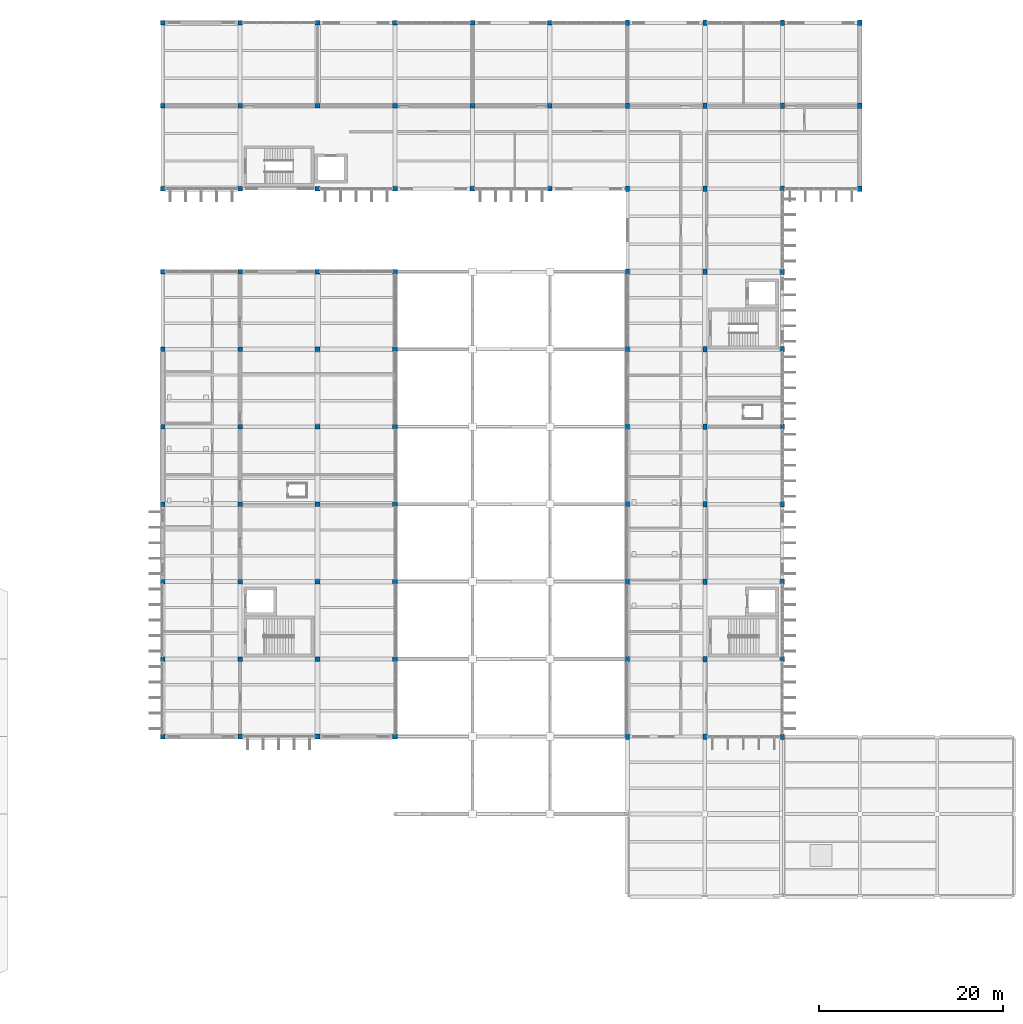
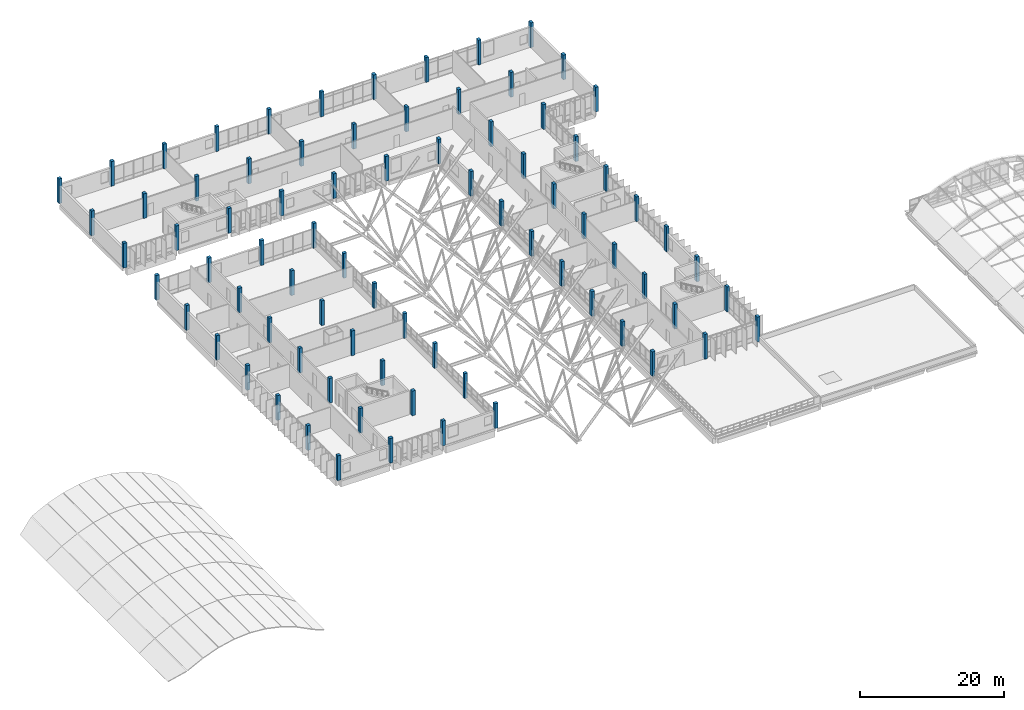
# One storey, part 1 of 107: 79 columns.
"""IFC4 building model written with IfcOpenShell, lengths in metres."""

import ifcopenshell
import ifcopenshell.guid

model = None  # the IFC model being written
_history = None  # IfcOwnerHistory: only IFC2X3 demands one
_inside = {}  # id of a spatial element -> (the spatial element, [elements in it])
_under = {}  # id of a project, library or spatial element -> (it, [spatial elements below it])
_declared = {}  # id of a project -> (the project, [libraries it declares])
_typed = {}  # id of a type object -> (the type object, [elements of that type])
_made_of = {}  # id of a material, layer set ... -> (it, [elements and type objects made of it])


def new_model(schema):
    """Start an empty IFC model of exactly this schema.

    Asked for "IFC4X3", IfcOpenShell would pick the latest addendum, in which some entities
    have other attributes; the version numbers below select the first issue.
    IFC2X3 requires an IfcOwnerHistory on every rooted entity: one is made here for all.
    """
    global model, _history
    if schema == "IFC4X3":
        model = ifcopenshell.file(schema_version=(4, 3, 0, 0))
    else:
        model = ifcopenshell.file(schema=schema)
    _inside.clear()
    _under.clear()
    _declared.clear()
    _typed.clear()
    _made_of.clear()
    _history = None
    if model.schema == "IFC2X3":
        org = make("IfcOrganization", Name="unknown")
        user = make(
            "IfcPersonAndOrganization",
            ThePerson=make("IfcPerson", FamilyName="unknown"),
            TheOrganization=org,
        )
        app = make(
            "IfcApplication",
            ApplicationDeveloper=org,
            Version="unknown",
            ApplicationFullName="unknown",
            ApplicationIdentifier="unknown",
        )
        _history = make(
            "IfcOwnerHistory",
            OwningUser=user,
            OwningApplication=app,
            ChangeAction="ADDED",
            CreationDate=0,
        )
    return model


def make(cls, **values):
    """One entity of the class cls with the attributes given. An attribute that is None is left unset."""
    return model.create_entity(
        cls, **{name: value for name, value in values.items() if value is not None}
    )


def rooted(cls, **values):
    """An entity with a GlobalId (a new one), such as an element, a storey or a relation."""
    return make(cls, GlobalId=ifcopenshell.guid.new(), OwnerHistory=_history, **values)


def si_unit(unit_type, name, prefix=None):
    """IfcSIUnit, for example si_unit("LENGTHUNIT", "METRE", prefix="MILLI")."""
    return make("IfcSIUnit", UnitType=unit_type, Prefix=prefix, Name=name)


def assignment(units):
    """IfcUnitAssignment: the units of a project."""
    return None if units is None else make("IfcUnitAssignment", Units=units)


def point(xyz):
    """IfcCartesianPoint."""
    return None if xyz is None else make("IfcCartesianPoint", Coordinates=xyz)


def direction(xyz):
    """IfcDirection."""
    return None if xyz is None else make("IfcDirection", DirectionRatios=xyz)


def frame(location, z_axis=None, x_axis=None):
    """IfcAxis2Placement3D, a coordinate frame: its origin and axes. An axis left out is left unset."""
    return make(
        "IfcAxis2Placement3D",
        Location=point(location),
        Axis=direction(z_axis),
        RefDirection=direction(x_axis),
    )


def frame_2d(location, x_axis=None):
    """IfcAxis2Placement2D, a coordinate frame in the plane: its origin and x axis."""
    return make(
        "IfcAxis2Placement2D", Location=point(location), RefDirection=direction(x_axis)
    )


def origin():
    """The frame at (0, 0, 0) with its axes left unset."""
    return frame((0.0, 0.0, 0.0))


def origin_2d():
    """The frame at (0, 0) in the plane with its x axis left unset."""
    return frame_2d((0.0, 0.0))


def place(relative_to, where):
    """IfcLocalPlacement: puts the frame where relative to a parent placement (None: the world)."""
    return make(
        "IfcLocalPlacement", PlacementRelTo=relative_to, RelativePlacement=where
    )


def context(
    kind, dimensions, precision=None, world=None, true_north=None, identifier=None
):
    """IfcGeometricRepresentationContext, for example the 3D "Model" context."""
    return make(
        "IfcGeometricRepresentationContext",
        ContextIdentifier=identifier,
        ContextType=kind,
        CoordinateSpaceDimension=dimensions,
        Precision=precision,
        WorldCoordinateSystem=world,
        TrueNorth=true_north,
    )


def subcontext(parent, identifier, kind, view, scale=None):
    """IfcGeometricRepresentationSubContext, for example "Body" below "Model"."""
    return make(
        "IfcGeometricRepresentationSubContext",
        ContextIdentifier=identifier,
        ContextType=kind,
        ParentContext=parent,
        TargetScale=scale,
        TargetView=view,
    )


def project(units=None, contexts=None):
    """IfcProject with its units and contexts."""
    return rooted(
        "IfcProject",
        Name="project",
        RepresentationContexts=contexts,
        UnitsInContext=assignment(units),
    )


def spatial(cls, under=None, at=None, **own):
    """A site, building, storey or space (cls), placed at a placement, below another one or the project."""
    s = rooted(cls, ObjectPlacement=at, **own)
    if under is not None:
        _under.setdefault(under.id(), (under, []))[1].append(s)
    return s


def profile(cls, at=None, kind="AREA", **sizes):
    """A parametric profile (cls). Its sizes go by their IFC names, for example OverallWidth=200.0."""
    return make(cls, ProfileType=kind, Position=at, **sizes)


def rectangle(**sizes):
    """IfcRectangleProfileDef."""
    return profile("IfcRectangleProfileDef", **sizes)


def extrude(swept, where, along, depth):
    """IfcExtrudedAreaSolid: the profile swept, set in the frame where, extruded along a direction by depth."""
    return make(
        "IfcExtrudedAreaSolid",
        SweptArea=swept,
        Position=where,
        ExtrudedDirection=direction(along),
        Depth=depth,
    )


def shape(context_of_items, identifier, shape_type, items):
    """IfcShapeRepresentation: the items that make up one representation, for example the "Body"."""
    return make(
        "IfcShapeRepresentation",
        ContextOfItems=context_of_items,
        RepresentationIdentifier=identifier,
        RepresentationType=shape_type,
        Items=items,
    )


def material(Name=None, Category=None):
    """IfcMaterial."""
    return make("IfcMaterial", Name=Name, Category=Category)


def material_profile(
    of_material, cross_section, Name=None, Category=None, Priority=None
):
    """IfcMaterialProfile: a cross section and its material."""
    return make(
        "IfcMaterialProfile",
        Name=Name,
        Material=of_material,
        Profile=cross_section,
        Priority=Priority,
        Category=Category,
    )


def profile_set(profiles, Name=None, composite=None):
    """IfcMaterialProfileSet."""
    return make(
        "IfcMaterialProfileSet",
        Name=Name,
        MaterialProfiles=profiles,
        CompositeProfile=composite,
    )


def made_of(thing, what):
    """Note that an element or type object is made of a material, layer set ...; save() writes the relation."""
    if what is not None:
        _made_of.setdefault(what.id(), (what, []))[1].append(thing)
    return thing


def type_object(cls, material=None, **own):
    """A type object (cls), such as IfcWallType, which elements share."""
    return made_of(rooted(cls, **own), material)


def element(
    cls,
    number,
    at=None,
    inside=None,
    cuts=None,
    type_object=None,
    material=None,
    context=None,
    identifier="Body",
    shape_type=None,
    held_by="IfcProductDefinitionShape",
    body=None,
    shapes=None,
    **own,
):
    """One element of the class cls, such as IfcWall. Its Tag is "e" and its number.

    at: its placement. inside: the storey or other place that contains it. cuts: it is an
    opening in that element (IfcRelVoidsElement). A single representation is given by context,
    identifier, shape_type and body (its items); several are given by shapes. held_by: the class
    of the entity that holds the representations. save() writes the other relations.
    """
    e = rooted(cls, Tag="e%d" % number, ObjectPlacement=at, **own)
    if body is not None:
        shapes = [shape(context, identifier, shape_type, body)]
    if shapes is not None:
        e.Representation = make(held_by, Representations=shapes)
    if inside is not None:
        _inside.setdefault(inside.id(), (inside, []))[1].append(e)
    if cuts is not None:
        rooted(
            "IfcRelVoidsElement", RelatingBuildingElement=cuts, RelatedOpeningElement=e
        )
    if type_object is not None:
        _typed.setdefault(type_object.id(), (type_object, []))[1].append(e)
    return made_of(e, material)


def aggregate(whole, parts):
    """IfcRelAggregates: a whole, such as a stair, and the parts it consists of."""
    return rooted("IfcRelAggregates", RelatingObject=whole, RelatedObjects=parts)


def save(model, path):
    """Write the relations noted so far, then the file.

    IfcRelAggregates (storeys below a building ...), IfcRelContainedInSpatialStructure (elements
    in a storey), IfcRelDefinesByType, IfcRelAssociatesMaterial and IfcRelDeclares: one each for
    every whole, place, type object, material and project.
    """
    for whole, parts in _under.values():
        aggregate(whole, parts)
    for where, things in _inside.values():
        rooted(
            "IfcRelContainedInSpatialStructure",
            RelatedElements=things,
            RelatingStructure=where,
        )
    for kind, things in _typed.values():
        rooted("IfcRelDefinesByType", RelatedObjects=things, RelatingType=kind)
    for what, things in _made_of.values():
        rooted("IfcRelAssociatesMaterial", RelatedObjects=things, RelatingMaterial=what)
    for by, libraries in _declared.values():
        rooted("IfcRelDeclares", RelatingContext=by, RelatedDefinitions=libraries)
    model.write(path)


model = new_model("IFC4")

# Units and contexts
model_context = context("Model", 3, precision=1e-05, world=origin(), true_north=direction((0.0, 1.0)))
body_context = subcontext(model_context, "Body", "Model", "MODEL_VIEW")
ifc_project = project(units=[si_unit("LENGTHUNIT", "METRE"), si_unit("AREAUNIT", "SQUARE_METRE"), si_unit("VOLUMEUNIT", "CUBIC_METRE"), si_unit("PLANEANGLEUNIT", "RADIAN"), si_unit("MASSUNIT", "GRAM", prefix="KILO")], contexts=[model_context])

# Site, building, storey
site_placement = place(None, origin())
site = spatial("IfcSite", under=ifc_project, at=site_placement, CompositionType="ELEMENT")
building_placement = place(site_placement, origin())
building = spatial("IfcBuilding", under=site, at=building_placement, Name="Vireocrest Preparatory School", CompositionType="ELEMENT")
storey_placement = place(building_placement, frame((0.0, 0.0, 13.199951171875)))
storey = spatial("IfcBuildingStorey", under=building, at=storey_placement, Name="L03", CompositionType="ELEMENT", Elevation=13.199951171875)

# Columns
ifc_material = material(Name="Concrete 45 MPa", Category="concrete")
ifc_material_profile_1 = material_profile(ifc_material, rectangle(XDim=0.5, YDim=0.5, at=origin_2d()), Name="RC 500x500")
ifc_profile_set_1 = profile_set([ifc_material_profile_1], Name="Concrete 45 MPa")
column_type_1 = type_object("IfcColumnType", Name="RC Column 500x500", PredefinedType="COLUMN", material=ifc_profile_set_1)
for number, where, z_axis, x_axis, name in (
    (1, (42.0, 35.39990234375, 0.0), (0.0, 0.0, 1.0), (1.0, 0.0, 0.0), "Column C03 L03 6/E"),
    (2, (42.0, 43.800048828125, 0.0), (0.0, 0.0, 1.0), (1.0, 0.0, 0.0), "Column C03 L03 6/F"),
    (3, (42.0, 52.199951171875, 0.0), (0.0, 0.0, 1.0), (1.0, 0.0, 0.0), "Column C03 L03 6/G"),
    (4, (42.0, 60.60009765625, 0.0), (0.0, 0.0, 1.0), (1.0, 0.0, 0.0), "Column C03 L03 6/H"),
    (5, (42.0, 69.0, 0.0), (0.0, 0.0, 1.0), (1.0, 0.0, 0.0), "Column C03 L03 6/J"),
    (6, (42.0, 77.39990234375, 0.0), (0.0, 0.0, 1.0), (1.0, 0.0, 0.0), "Column C03 L03 6/K"),
    (7, (42.0, 85.800048828125, 0.0), (0.0, 0.0, 1.0), (1.0, 0.0, 0.0), "Column C03 L03 6/L"),
    (8, (42.0, 94.800048828125, 0.0), (0.0, 0.0, 1.0), (1.0, 0.0, 0.0), "Column C03 L03 6/M"),
    (9, (42.0, 103.800048828125, 0.0), (0.0, 0.0, 1.0), (1.0, 0.0, 0.0), "Column C03 L03 6/N"),
    (10, (42.0, 112.800048828125, 0.0), (0.0, 0.0, 1.0), (1.0, 0.0, 0.0), "Column C03 L03 6/P"),
    (11, (50.39990234375, 35.39990234375, 0.0), (0.0, 0.0, 1.0), (1.0, 0.0, 0.0), "Column C03 L03 7/E"),
    (12, (50.39990234375, 43.800048828125, 0.0), (0.0, 0.0, 1.0), (1.0, 0.0, 0.0), "Column C03 L03 7/F"),
    (13, (50.39990234375, 52.199951171875, 0.0), (0.0, 0.0, 1.0), (1.0, 0.0, 0.0), "Column C03 L03 7/G"),
    (14, (50.39990234375, 60.60009765625, 0.0), (0.0, 0.0, 1.0), (1.0, 0.0, 0.0), "Column C03 L03 7/H"),
    (15, (50.39990234375, 69.0, 0.0), (0.0, 0.0, 1.0), (1.0, 0.0, 0.0), "Column C03 L03 7/J"),
    (16, (50.39990234375, 77.39990234375, 0.0), (0.0, 0.0, 1.0), (1.0, 0.0, 0.0), "Column C03 L03 7/K"),
    (17, (50.39990234375, 85.800048828125, 0.0), (0.0, 0.0, 1.0), (1.0, 0.0, 0.0), "Column C03 L03 7/L"),
    (18, (50.39990234375, 94.800048828125, 0.0), (0.0, 0.0, 1.0), (1.0, 0.0, 0.0), "Column C03 L03 7/M"),
    (19, (50.39990234375, 103.800048828125, 0.0), (0.0, 0.0, 1.0), (1.0, 0.0, 0.0), "Column C03 L03 7/N"),
    (20, (50.39990234375, 112.800048828125, 0.0), (0.0, 0.0, 1.0), (1.0, 0.0, 0.0), "Column C03 L03 7/P"),
    (21, (58.800048828125, 35.39990234375, 0.0), (0.0, 0.0, 1.0), (1.0, 0.0, 0.0), "Column C03 L03 8/E"),
    (22, (58.800048828125, 43.800048828125, 0.0), (0.0, 0.0, 1.0), (1.0, 0.0, 0.0), "Column C03 L03 8/F"),
    (23, (58.800048828125, 52.199951171875, 0.0), (0.0, 0.0, 1.0), (1.0, 0.0, 0.0), "Column C03 L03 8/G"),
    (24, (58.800048828125, 60.60009765625, 0.0), (0.0, 0.0, 1.0), (1.0, 0.0, 0.0), "Column C03 L03 8/H"),
    (25, (58.800048828125, 69.0, 0.0), (0.0, 0.0, 1.0), (1.0, 0.0, 0.0), "Column C03 L03 8/J"),
    (26, (58.800048828125, 77.39990234375, 0.0), (0.0, 0.0, 1.0), (1.0, 0.0, 0.0), "Column C03 L03 8/K"),
    (27, (58.800048828125, 85.800048828125, 0.0), (0.0, 0.0, 1.0), (1.0, 0.0, 0.0), "Column C03 L03 8/L"),
    (28, (58.800048828125, 94.800048828125, 0.0), (0.0, 0.0, 1.0), (1.0, 0.0, 0.0), "Column C03 L03 8/M"),
    (29, (58.800048828125, 103.800048828125, 0.0), (0.0, 0.0, 1.0), (1.0, 0.0, 0.0), "Column C03 L03 8/N"),
    (30, (58.800048828125, 112.800048828125, 0.0), (0.0, 0.0, 1.0), (1.0, 0.0, 0.0), "Column C03 L03 8/P"),
    (31, (67.199951171875, 35.39990234375, 0.0), (0.0, 0.0, 1.0), (1.0, 0.0, 0.0), "Column C03 L03 9/E"),
    (32, (67.199951171875, 43.800048828125, 0.0), (0.0, 0.0, 1.0), (1.0, 0.0, 0.0), "Column C03 L03 9/F"),
    (33, (67.199951171875, 52.199951171875, 0.0), (0.0, 0.0, 1.0), (1.0, 0.0, 0.0), "Column C03 L03 9/G"),
    (34, (67.199951171875, 60.60009765625, 0.0), (0.0, 0.0, 1.0), (1.0, 0.0, 0.0), "Column C03 L03 9/H"),
    (35, (67.199951171875, 69.0, 0.0), (0.0, 0.0, 1.0), (1.0, 0.0, 0.0), "Column C03 L03 9/J"),
    (36, (67.199951171875, 77.39990234375, 0.0), (0.0, 0.0, 1.0), (1.0, 0.0, 0.0), "Column C03 L03 9/K"),
    (37, (67.199951171875, 85.800048828125, 0.0), (0.0, 0.0, 1.0), (1.0, 0.0, 0.0), "Column C03 L03 9/L"),
    (38, (67.199951171875, 94.800048828125, 0.0), (0.0, 0.0, 1.0), (1.0, 0.0, 0.0), "Column C03 L03 9/M"),
    (39, (67.199951171875, 103.800048828125, 0.0), (0.0, 0.0, 1.0), (1.0, 0.0, 0.0), "Column C03 L03 9/N"),
    (40, (67.199951171875, 112.800048828125, 0.0), (0.0, 0.0, 1.0), (1.0, 0.0, 0.0), "Column C03 L03 9/P"),
    (41, (75.60009765625, 94.800048828125, 0.0), (0.0, 0.0, 1.0), (1.0, 0.0, 0.0), "Column C03 L03 10/M"),
    (42, (75.60009765625, 103.800048828125, 0.0), (0.0, 0.0, 1.0), (1.0, 0.0, 0.0), "Column C03 L03 10/N"),
    (43, (75.60009765625, 112.800048828125, 0.0), (0.0, 0.0, 1.0), (1.0, 0.0, 0.0), "Column C03 L03 10/P"),
    (44, (84.0, 94.800048828125, 0.0), (0.0, 0.0, 1.0), (1.0, 0.0, 0.0), "Column C03 L03 11/M"),
    (45, (84.0, 103.800048828125, 0.0), (0.0, 0.0, 1.0), (1.0, 0.0, 0.0), "Column C03 L03 11/N"),
    (46, (84.0, 112.800048828125, 0.0), (0.0, 0.0, 1.0), (1.0, 0.0, 0.0), "Column C03 L03 11/P"),
):
    element("IfcColumn", number, at=place(storey_placement, frame(where, z_axis=z_axis, x_axis=x_axis)), inside=storey, type_object=column_type_1, Name=name, PredefinedType="COLUMN", context=body_context, shape_type="SweptSolid", body=[
        extrude(rectangle(XDim=0.5, YDim=0.5, at=origin_2d()), origin(), (0.0, 0.0, 1.0), 4.199951171875),
    ])
ifc_material_profile_2 = material_profile(ifc_material, rectangle(XDim=0.449951171875, YDim=0.60009765625, at=origin_2d()), Name="RC 450x600")
ifc_profile_set_2 = profile_set([ifc_material_profile_2], Name="Concrete 45 MPa")
column_type_2 = type_object("IfcColumnType", Name="RC Hall Column 450x600", PredefinedType="COLUMN", material=ifc_profile_set_2)
for number, where, z_axis, x_axis, name in (
    (47, (92.39990234375, 35.39990234375, 0.0), (0.0, 0.0, 1.0), (1.0, 0.0, 0.0), "Column C10 L03 12/E"),
    (48, (92.39990234375, 43.800048828125, 0.0), (0.0, 0.0, 1.0), (1.0, 0.0, 0.0), "Column C10 L03 12/F"),
    (49, (92.39990234375, 52.199951171875, 0.0), (0.0, 0.0, 1.0), (1.0, 0.0, 0.0), "Column C10 L03 12/G"),
    (50, (92.39990234375, 60.60009765625, 0.0), (0.0, 0.0, 1.0), (1.0, 0.0, 0.0), "Column C10 L03 12/H"),
    (51, (92.39990234375, 69.0, 0.0), (0.0, 0.0, 1.0), (1.0, 0.0, 0.0), "Column C10 L03 12/J"),
    (52, (92.39990234375, 77.39990234375, 0.0), (0.0, 0.0, 1.0), (1.0, 0.0, 0.0), "Column C10 L03 12/K"),
    (53, (92.39990234375, 85.800048828125, 0.0), (0.0, 0.0, 1.0), (1.0, 0.0, 0.0), "Column C10 L03 12/L"),
    (54, (92.39990234375, 94.800048828125, 0.0), (0.0, 0.0, 1.0), (1.0, 0.0, 0.0), "Column C10 L03 12/M"),
    (55, (92.39990234375, 103.800048828125, 0.0), (0.0, 0.0, 1.0), (1.0, 0.0, 0.0), "Column C10 L03 12/N"),
    (56, (92.39990234375, 112.800048828125, 0.0), (0.0, 0.0, 1.0), (1.0, 0.0, 0.0), "Column C10 L03 12/P"),
    (57, (100.800048828125, 35.39990234375, 0.0), (0.0, 0.0, 1.0), (1.0, 0.0, 0.0), "Column C10 L03 13/E"),
    (58, (100.800048828125, 43.800048828125, 0.0), (0.0, 0.0, 1.0), (1.0, 0.0, 0.0), "Column C10 L03 13/F"),
    (59, (100.800048828125, 52.199951171875, 0.0), (0.0, 0.0, 1.0), (1.0, 0.0, 0.0), "Column C10 L03 13/G"),
    (60, (100.800048828125, 60.60009765625, 0.0), (0.0, 0.0, 1.0), (1.0, 0.0, 0.0), "Column C10 L03 13/H"),
    (61, (100.800048828125, 69.0, 0.0), (0.0, 0.0, 1.0), (1.0, 0.0, 0.0), "Column C10 L03 13/J"),
    (62, (100.800048828125, 77.39990234375, 0.0), (0.0, 0.0, 1.0), (1.0, 0.0, 0.0), "Column C10 L03 13/K"),
    (63, (100.800048828125, 85.800048828125, 0.0), (0.0, 0.0, 1.0), (1.0, 0.0, 0.0), "Column C10 L03 13/L"),
    (64, (100.800048828125, 94.800048828125, 0.0), (0.0, 0.0, 1.0), (1.0, 0.0, 0.0), "Column C10 L03 13/M"),
    (65, (100.800048828125, 103.800048828125, 0.0), (0.0, 0.0, 1.0), (1.0, 0.0, 0.0), "Column C10 L03 13/N"),
    (66, (100.800048828125, 112.800048828125, 0.0), (0.0, 0.0, 1.0), (1.0, 0.0, 0.0), "Column C10 L03 13/P"),
    (67, (109.199951171875, 35.39990234375, 0.0), (0.0, 0.0, 1.0), (1.0, 0.0, 0.0), "Column C10 L03 14/E"),
    (68, (109.199951171875, 43.800048828125, 0.0), (0.0, 0.0, 1.0), (1.0, 0.0, 0.0), "Column C10 L03 14/F"),
    (69, (109.199951171875, 52.199951171875, 0.0), (0.0, 0.0, 1.0), (1.0, 0.0, 0.0), "Column C10 L03 14/G"),
    (70, (109.199951171875, 60.60009765625, 0.0), (0.0, 0.0, 1.0), (1.0, 0.0, 0.0), "Column C10 L03 14/H"),
    (71, (109.199951171875, 69.0, 0.0), (0.0, 0.0, 1.0), (1.0, 0.0, 0.0), "Column C10 L03 14/J"),
    (72, (109.199951171875, 77.39990234375, 0.0), (0.0, 0.0, 1.0), (1.0, 0.0, 0.0), "Column C10 L03 14/K"),
    (73, (109.199951171875, 85.800048828125, 0.0), (0.0, 0.0, 1.0), (1.0, 0.0, 0.0), "Column C10 L03 14/L"),
    (74, (109.199951171875, 94.800048828125, 0.0), (0.0, 0.0, 1.0), (1.0, 0.0, 0.0), "Column C10 L03 14/M"),
    (75, (109.199951171875, 103.800048828125, 0.0), (0.0, 0.0, 1.0), (1.0, 0.0, 0.0), "Column C10 L03 14/N"),
    (76, (109.199951171875, 112.800048828125, 0.0), (0.0, 0.0, 1.0), (1.0, 0.0, 0.0), "Column C10 L03 14/P"),
    (77, (117.60009765625, 94.800048828125, 0.0), (0.0, 0.0, 1.0), (1.0, 0.0, 0.0), "Column C10 L03 15/M"),
    (78, (117.60009765625, 103.800048828125, 0.0), (0.0, 0.0, 1.0), (1.0, 0.0, 0.0), "Column C10 L03 15/N"),
    (79, (117.60009765625, 112.800048828125, 0.0), (0.0, 0.0, 1.0), (1.0, 0.0, 0.0), "Column C10 L03 15/P"),
):
    element("IfcColumn", number, at=place(storey_placement, frame(where, z_axis=z_axis, x_axis=x_axis)), inside=storey, type_object=column_type_2, Name=name, PredefinedType="COLUMN", context=body_context, shape_type="SweptSolid", body=[
        extrude(rectangle(XDim=0.449951171875, YDim=0.60009765625, at=origin_2d()), origin(), (0.0, 0.0, 1.0), 4.199951171875),
    ])

save(model, "model.ifc")
